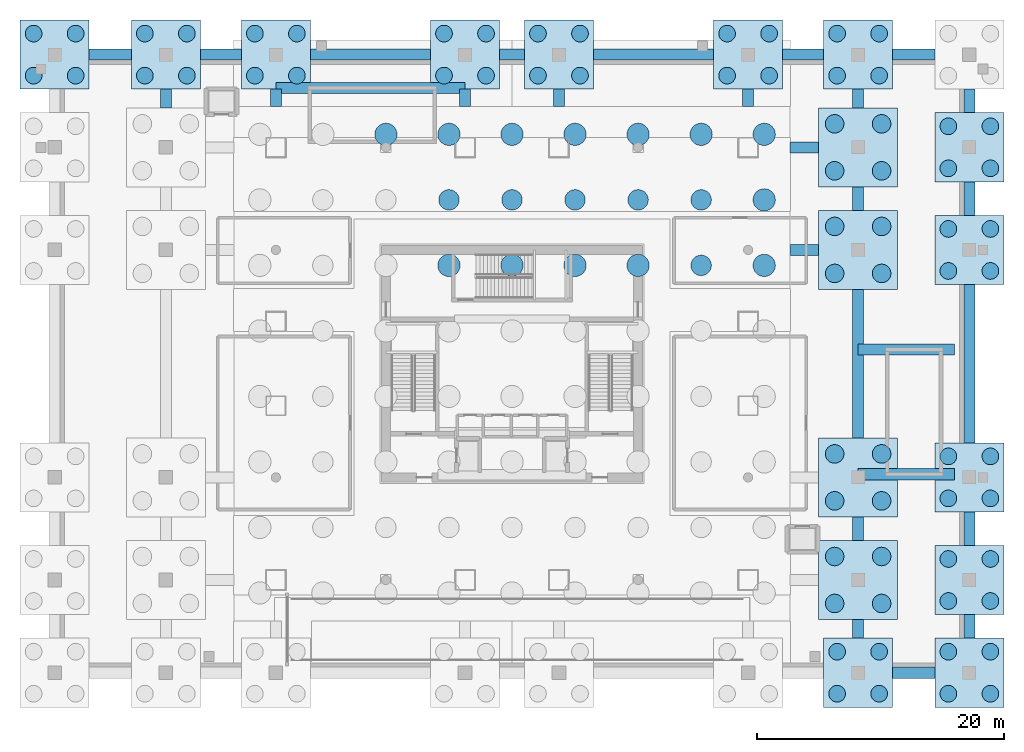
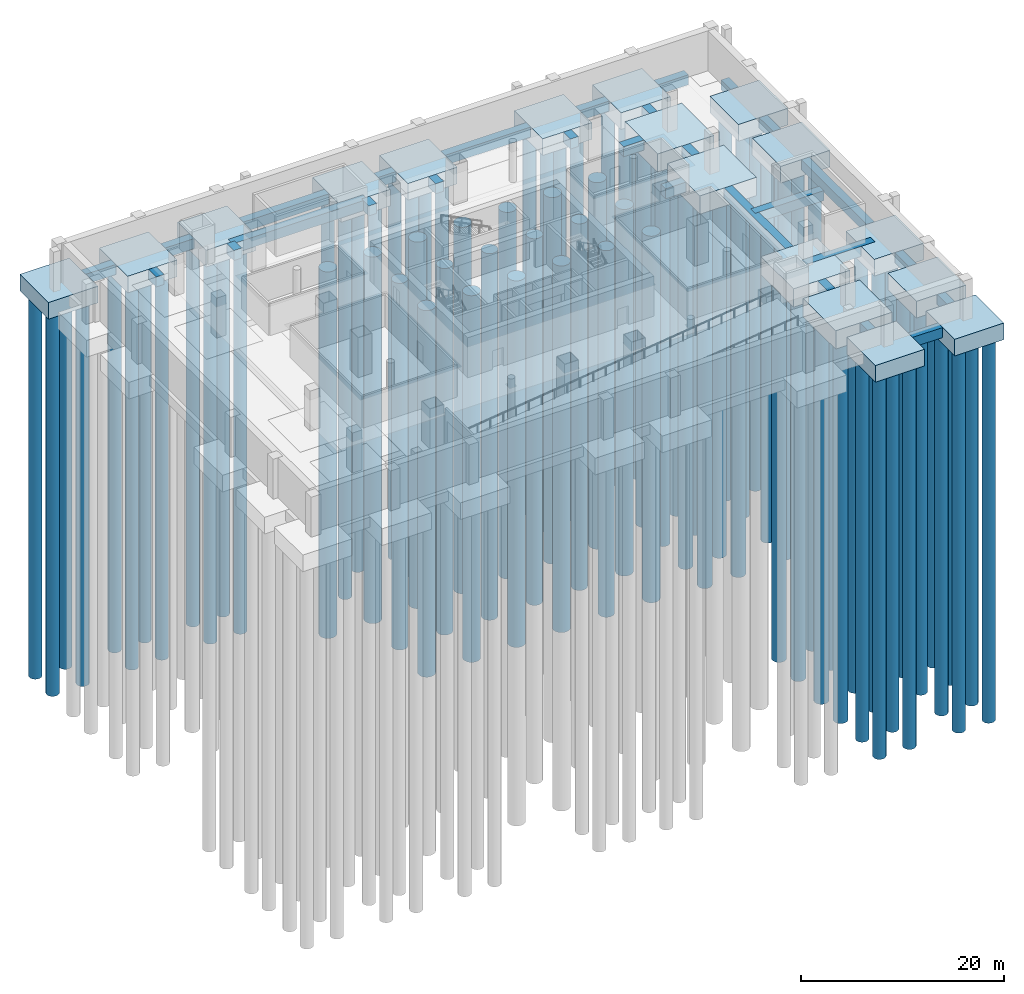
# One storey, part 2 of 11: 87 piles, 45 footings.
"""IFC4 building model written with IfcOpenShell, lengths in metres."""

from ifc_helpers import new_model, si_unit, direction, frame, origin, origin_2d, place, context, subcontext, project, spatial, polyline, rectangle, circle, outline, extrude, material, material_profile, profile_set, type_object, element, save


model = new_model("IFC4")

# Units and contexts
model_context = context("Model", 3, precision=1e-05, world=origin(), true_north=direction((0.0, 1.0)))
body_context = subcontext(model_context, "Body", "Model", "MODEL_VIEW")
ifc_project = project(units=[si_unit("LENGTHUNIT", "METRE"), si_unit("AREAUNIT", "SQUARE_METRE"), si_unit("VOLUMEUNIT", "CUBIC_METRE"), si_unit("PLANEANGLEUNIT", "RADIAN"), si_unit("MASSUNIT", "GRAM", prefix="KILO")], contexts=[model_context])

# Site, building, storey
site_placement = place(None, origin())
site = spatial("IfcSite", under=ifc_project, at=site_placement, CompositionType="ELEMENT")
building_placement = place(site_placement, origin())
building = spatial("IfcBuilding", under=site, at=building_placement, Name="Punatoya Terracotta Tower", CompositionType="ELEMENT")
storey_placement = place(building_placement, frame((0.0, 0.0, -9.60009765625)))
storey = spatial("IfcBuildingStorey", under=building, at=storey_placement, Name="B2", CompositionType="ELEMENT", Elevation=-9.60009765625)

# Footings
ifc_material = material(Name="Concrete C45/55", Category="concrete")
footing_type_1 = type_object("IfcFootingType", Name="CAP-5600X5600X2000", PredefinedType="PILE_CAP", material=ifc_material)
footing_1_placement = place(storey_placement, frame((0.0, 0.0, -2.0)))
element("IfcFooting", 1, at=footing_1_placement, inside=storey, type_object=footing_type_1, Name="Podium Pile Cap PCAP-07 (10-A)", PredefinedType="PILE_CAP", context=body_context, shape_type="SweptSolid", body=[
    extrude(outline(polyline([(25.199951171875, -27.800048828125), (30.800048828125, -27.800048828125), (30.800048828125, -22.199951171875), (25.199951171875, -22.199951171875), (25.199951171875, -27.800048828125)])), origin(), (0.0, 0.0, 1.0), 2.0),
])
footing_2_placement = place(storey_placement, frame((0.0, 0.0, -2.0)))
element("IfcFooting", 2, at=footing_2_placement, inside=storey, type_object=footing_type_1, Name="Podium Pile Cap PCAP-08 (11-A)", PredefinedType="PILE_CAP", context=body_context, shape_type="SweptSolid", body=[
    extrude(outline(polyline([(34.199951171875, -27.800048828125), (39.800048828125, -27.800048828125), (39.800048828125, -22.199951171875), (34.199951171875, -22.199951171875), (34.199951171875, -27.800048828125)])), origin(), (0.0, 0.0, 1.0), 2.0),
])
footing_3_placement = place(storey_placement, frame((0.0, 0.0, -2.0)))
element("IfcFooting", 3, at=footing_3_placement, inside=storey, type_object=footing_type_1, Name="Podium Pile Cap PCAP-12 (11-B)", PredefinedType="PILE_CAP", context=body_context, shape_type="SweptSolid", body=[
    extrude(outline(polyline([(34.199951171875, -20.300048828125), (39.800048828125, -20.300048828125), (39.800048828125, -14.699951171875), (34.199951171875, -14.699951171875), (34.199951171875, -20.300048828125)])), origin(), (0.0, 0.0, 1.0), 2.0),
])
footing_4_placement = place(storey_placement, frame((0.0, 0.0, -2.0)))
element("IfcFooting", 4, at=footing_4_placement, inside=storey, type_object=footing_type_1, Name="Podium Pile Cap PCAP-14 (11-C)", PredefinedType="PILE_CAP", context=body_context, shape_type="SweptSolid", body=[
    extrude(outline(polyline([(34.199951171875, -12.0), (39.800048828125, -12.0), (39.800048828125, -6.39990234375), (34.199951171875, -6.39990234375), (34.199951171875, -12.0)])), origin(), (0.0, 0.0, 1.0), 2.0),
])
footing_5_placement = place(storey_placement, frame((0.0, 0.0, -2.0)))
element("IfcFooting", 5, at=footing_5_placement, inside=storey, type_object=footing_type_1, Name="Podium Pile Cap PCAP-16 (11-F)", PredefinedType="PILE_CAP", context=body_context, shape_type="SweptSolid", body=[
    extrude(outline(polyline([(34.199951171875, 6.39990234375), (39.800048828125, 6.39990234375), (39.800048828125, 12.0), (34.199951171875, 12.0), (34.199951171875, 6.39990234375)])), origin(), (0.0, 0.0, 1.0), 2.0),
])
footing_6_placement = place(storey_placement, frame((0.0, 0.0, -2.0)))
element("IfcFooting", 6, at=footing_6_placement, inside=storey, type_object=footing_type_1, Name="Podium Pile Cap PCAP-20 (11-G)", PredefinedType="PILE_CAP", context=body_context, shape_type="SweptSolid", body=[
    extrude(outline(polyline([(34.199951171875, 14.699951171875), (39.800048828125, 14.699951171875), (39.800048828125, 20.300048828125), (34.199951171875, 20.300048828125), (34.199951171875, 14.699951171875)])), origin(), (0.0, 0.0, 1.0), 2.0),
])
footing_7_placement = place(storey_placement, frame((0.0, 0.0, -2.0)))
element("IfcFooting", 7, at=footing_7_placement, inside=storey, type_object=footing_type_1, Name="Podium Pile Cap PCAP-21 (1-H)", PredefinedType="PILE_CAP", context=body_context, shape_type="SweptSolid", body=[
    extrude(outline(polyline([(-39.800048828125, 22.199951171875), (-34.199951171875, 22.199951171875), (-34.199951171875, 27.800048828125), (-39.800048828125, 27.800048828125), (-39.800048828125, 22.199951171875)])), origin(), (0.0, 0.0, 1.0), 2.0),
])
footing_8_placement = place(storey_placement, frame((0.0, 0.0, -2.0)))
element("IfcFooting", 8, at=footing_8_placement, inside=storey, type_object=footing_type_1, Name="Podium Pile Cap PCAP-22 (2-H)", PredefinedType="PILE_CAP", context=body_context, shape_type="SweptSolid", body=[
    extrude(outline(polyline([(-30.800048828125, 22.199951171875), (-25.199951171875, 22.199951171875), (-25.199951171875, 27.800048828125), (-30.800048828125, 27.800048828125), (-30.800048828125, 22.199951171875)])), origin(), (0.0, 0.0, 1.0), 2.0),
])
footing_9_placement = place(storey_placement, frame((0.0, 0.0, -2.0)))
element("IfcFooting", 9, at=footing_9_placement, inside=storey, type_object=footing_type_1, Name="Podium Pile Cap PCAP-23 (3-H)", PredefinedType="PILE_CAP", context=body_context, shape_type="SweptSolid", body=[
    extrude(outline(polyline([(-21.89990234375, 22.199951171875), (-16.300048828125, 22.199951171875), (-16.300048828125, 27.800048828125), (-21.89990234375, 27.800048828125), (-21.89990234375, 22.199951171875)])), origin(), (0.0, 0.0, 1.0), 2.0),
])
footing_10_placement = place(storey_placement, frame((0.0, 0.0, -2.0)))
element("IfcFooting", 10, at=footing_10_placement, inside=storey, type_object=footing_type_1, Name="Podium Pile Cap PCAP-24 (5-H)", PredefinedType="PILE_CAP", context=body_context, shape_type="SweptSolid", body=[
    extrude(outline(polyline([(-6.60009765625, 22.199951171875), (-1.0, 22.199951171875), (-1.0, 27.800048828125), (-6.60009765625, 27.800048828125), (-6.60009765625, 22.199951171875)])), origin(), (0.0, 0.0, 1.0), 2.0),
])
footing_11_placement = place(storey_placement, frame((0.0, 0.0, -2.0)))
element("IfcFooting", 11, at=footing_11_placement, inside=storey, type_object=footing_type_1, Name="Podium Pile Cap PCAP-25 (7-H)", PredefinedType="PILE_CAP", context=body_context, shape_type="SweptSolid", body=[
    extrude(outline(polyline([(1.0, 22.199951171875), (6.60009765625, 22.199951171875), (6.60009765625, 27.800048828125), (1.0, 27.800048828125), (1.0, 22.199951171875)])), origin(), (0.0, 0.0, 1.0), 2.0),
])
footing_12_placement = place(storey_placement, frame((0.0, 0.0, -2.0)))
element("IfcFooting", 12, at=footing_12_placement, inside=storey, type_object=footing_type_1, Name="Podium Pile Cap PCAP-26 (9-H)", PredefinedType="PILE_CAP", context=body_context, shape_type="SweptSolid", body=[
    extrude(outline(polyline([(16.300048828125, 22.199951171875), (21.89990234375, 22.199951171875), (21.89990234375, 27.800048828125), (16.300048828125, 27.800048828125), (16.300048828125, 22.199951171875)])), origin(), (0.0, 0.0, 1.0), 2.0),
])
footing_13_placement = place(storey_placement, frame((0.0, 0.0, -2.0)))
element("IfcFooting", 13, at=footing_13_placement, inside=storey, type_object=footing_type_1, Name="Podium Pile Cap PCAP-27 (10-H)", PredefinedType="PILE_CAP", context=body_context, shape_type="SweptSolid", body=[
    extrude(outline(polyline([(25.199951171875, 22.199951171875), (30.800048828125, 22.199951171875), (30.800048828125, 27.800048828125), (25.199951171875, 27.800048828125), (25.199951171875, 22.199951171875)])), origin(), (0.0, 0.0, 1.0), 2.0),
])
footing_type_2 = type_object("IfcFootingType", Name="CAP-6400X6400X2200", PredefinedType="PILE_CAP", material=ifc_material)
footing_14_placement = place(storey_placement, frame((0.0, 0.0, -2.199951171875)))
element("IfcFooting", 14, at=footing_14_placement, inside=storey, type_object=footing_type_2, Name="Podium Pile Cap PCAP-11 (10-B)", PredefinedType="PILE_CAP", context=body_context, shape_type="SweptSolid", body=[
    extrude(outline(polyline([(24.800048828125, -20.699951171875), (31.199951171875, -20.699951171875), (31.199951171875, -14.300048828125), (24.800048828125, -14.300048828125), (24.800048828125, -20.699951171875)])), origin(), (0.0, 0.0, 1.0), 2.199951171875),
])
footing_15_placement = place(storey_placement, frame((0.0, 0.0, -2.199951171875)))
element("IfcFooting", 15, at=footing_15_placement, inside=storey, type_object=footing_type_2, Name="Podium Pile Cap PCAP-19 (10-G)", PredefinedType="PILE_CAP", context=body_context, shape_type="SweptSolid", body=[
    extrude(outline(polyline([(24.800048828125, 14.300048828125), (31.199951171875, 14.300048828125), (31.199951171875, 20.699951171875), (24.800048828125, 20.699951171875), (24.800048828125, 14.300048828125)])), origin(), (0.0, 0.0, 1.0), 2.199951171875),
])
footing_16_placement = place(storey_placement, frame((0.0, 0.0, -2.199951171875)))
element("IfcFooting", 16, at=footing_16_placement, inside=storey, type_object=footing_type_2, Name="Podium Pile Cap PCAP-31 (10-C)", PredefinedType="PILE_CAP", context=body_context, shape_type="SweptSolid", body=[
    extrude(outline(polyline([(24.800048828125, -12.39990234375), (31.199951171875, -12.39990234375), (31.199951171875, -6.0), (24.800048828125, -6.0), (24.800048828125, -12.39990234375)])), origin(), (0.0, 0.0, 1.0), 2.199951171875),
])
footing_17_placement = place(storey_placement, frame((0.0, 0.0, -2.199951171875)))
element("IfcFooting", 17, at=footing_17_placement, inside=storey, type_object=footing_type_2, Name="Podium Pile Cap PCAP-32 (10-F)", PredefinedType="PILE_CAP", context=body_context, shape_type="SweptSolid", body=[
    extrude(outline(polyline([(24.800048828125, 6.0), (31.199951171875, 6.0), (31.199951171875, 12.39990234375), (24.800048828125, 12.39990234375), (24.800048828125, 6.0)])), origin(), (0.0, 0.0, 1.0), 2.199951171875),
])
ifc_material_profile_1 = material_profile(ifc_material, rectangle(XDim=0.89990234375, YDim=1.199951171875, at=origin_2d()))
ifc_profile_set_1 = profile_set([ifc_material_profile_1], Name="Concrete C45/55")
footing_type_3 = type_object("IfcFootingType", Name="FTG-GB-900", PredefinedType="FOOTING_BEAM", material=ifc_profile_set_1)
for number, where, z_axis, x_axis, name in (
    (18, (30.800048828125, -25.0, -0.599853515625), (1.0, 0.0, 0.0), (0.0, 1.0, 0.0), "Foundation Tie Beam FGB-007 (10..11-A)"),
    (19, (-34.199951171875, 25.0, -0.599853515625), (1.0, 0.0, 0.0), (0.0, 1.0, 0.0), "Foundation Tie Beam FGB-008 (1..2-H)"),
):
    element("IfcFooting", number, at=place(storey_placement, frame(where, z_axis=z_axis, x_axis=x_axis)), inside=storey, type_object=footing_type_3, Name=name, PredefinedType="FOOTING_BEAM", context=body_context, shape_type="SweptSolid", body=[
        extrude(rectangle(XDim=0.89990234375, YDim=1.199951171875, at=origin_2d()), origin(), (0.0, 0.0, 1.0), 3.39990234375),
    ])
footing_18_placement = place(storey_placement, frame((-25.199951171875, 25.0, -0.599853515625), z_axis=(1.0, 0.0, 0.0), x_axis=(0.0, 1.0, 0.0)))
element("IfcFooting", 20, at=footing_18_placement, inside=storey, type_object=footing_type_3, Name="Foundation Tie Beam FGB-009 (2..3-H)", PredefinedType="FOOTING_BEAM", context=body_context, shape_type="SweptSolid", body=[
    extrude(rectangle(XDim=0.89990234375, YDim=1.199951171875, at=origin_2d()), origin(), (0.0, 0.0, 1.0), 3.300048828125),
])
footing_19_placement = place(storey_placement, frame((-16.300048828125, 25.0, -0.599853515625), z_axis=(1.0, 0.0, 0.0), x_axis=(0.0, 1.0, 0.0)))
element("IfcFooting", 21, at=footing_19_placement, inside=storey, type_object=footing_type_3, Name="Foundation Tie Beam FGB-010 (3..5-H)", PredefinedType="FOOTING_BEAM", context=body_context, shape_type="SweptSolid", body=[
    extrude(rectangle(XDim=0.89990234375, YDim=1.199951171875, at=origin_2d()), origin(), (0.0, 0.0, 1.0), 9.699951171875),
])
footing_20_placement = place(storey_placement, frame((-1.0, 25.0, -0.599853515625), z_axis=(1.0, 0.0, 0.0), x_axis=(0.0, 1.0, 0.0)))
element("IfcFooting", 22, at=footing_20_placement, inside=storey, type_object=footing_type_3, Name="Foundation Tie Beam FGB-011 (5..7-H)", PredefinedType="FOOTING_BEAM", context=body_context, shape_type="SweptSolid", body=[
    extrude(rectangle(XDim=0.89990234375, YDim=1.199951171875, at=origin_2d()), origin(), (0.0, 0.0, 1.0), 2.0),
])
footing_21_placement = place(storey_placement, frame((6.60009765625, 25.0, -0.599853515625), z_axis=(1.0, 0.0, 0.0), x_axis=(0.0, 1.0, 0.0)))
element("IfcFooting", 23, at=footing_21_placement, inside=storey, type_object=footing_type_3, Name="Foundation Tie Beam FGB-012 (7..9-H)", PredefinedType="FOOTING_BEAM", context=body_context, shape_type="SweptSolid", body=[
    extrude(rectangle(XDim=0.89990234375, YDim=1.199951171875, at=origin_2d()), origin(), (0.0, 0.0, 1.0), 9.699951171875),
])
footing_22_placement = place(storey_placement, frame((21.89990234375, 25.0, -0.599853515625), z_axis=(1.0, 0.0, 0.0), x_axis=(0.0, 1.0, 0.0)))
element("IfcFooting", 24, at=footing_22_placement, inside=storey, type_object=footing_type_3, Name="Foundation Tie Beam FGB-013 (9..10-H)", PredefinedType="FOOTING_BEAM", context=body_context, shape_type="SweptSolid", body=[
    extrude(rectangle(XDim=0.89990234375, YDim=1.199951171875, at=origin_2d()), origin(), (0.0, 0.0, 1.0), 3.300048828125),
])
footing_23_placement = place(storey_placement, frame((30.800048828125, 25.0, -0.599853515625), z_axis=(1.0, 0.0, 0.0), x_axis=(0.0, 1.0, 0.0)))
element("IfcFooting", 25, at=footing_23_placement, inside=storey, type_object=footing_type_3, Name="Foundation Tie Beam FGB-014 (10..11-H)", PredefinedType="FOOTING_BEAM", context=body_context, shape_type="SweptSolid", body=[
    extrude(rectangle(XDim=0.89990234375, YDim=1.199951171875, at=origin_2d()), origin(), (0.0, 0.0, 1.0), 3.39990234375),
])
for number, where, z_axis, x_axis, name in (
    (26, (-28.0, 20.699951171875, -0.599853515625), (0.0, 1.0, 0.0), (-1.0, 0.0, 0.0), "Foundation Tie Beam FGB-024 (2-G..H)"),
    (27, (28.0, -22.199951171875, -0.599853515625), (0.0, 1.0, 0.0), (-1.0, 0.0, 0.0), "Foundation Tie Beam FGB-025 (10-A..B)"),
):
    element("IfcFooting", number, at=place(storey_placement, frame(where, z_axis=z_axis, x_axis=x_axis)), inside=storey, type_object=footing_type_3, Name=name, PredefinedType="FOOTING_BEAM", context=body_context, shape_type="SweptSolid", body=[
        extrude(rectangle(XDim=0.89990234375, YDim=1.199951171875, at=origin_2d()), origin(), (0.0, 0.0, 1.0), 1.5),
    ])
footing_24_placement = place(storey_placement, frame((28.0, -14.300048828125, -0.599853515625), z_axis=(0.0, 1.0, 0.0), x_axis=(-1.0, 0.0, 0.0)))
element("IfcFooting", 28, at=footing_24_placement, inside=storey, type_object=footing_type_3, Name="Foundation Tie Beam FGB-026 (10-B..C)", PredefinedType="FOOTING_BEAM", context=body_context, shape_type="SweptSolid", body=[
    extrude(rectangle(XDim=0.89990234375, YDim=1.199951171875, at=origin_2d()), origin(), (0.0, 0.0, 1.0), 1.900146484375),
])
footing_25_placement = place(storey_placement, frame((28.0, -6.0, -0.599853515625), z_axis=(0.0, 1.0, 0.0), x_axis=(-1.0, 0.0, 0.0)))
element("IfcFooting", 29, at=footing_25_placement, inside=storey, type_object=footing_type_3, Name="Foundation Tie Beam FGB-027 (10-C..F)", PredefinedType="FOOTING_BEAM", context=body_context, shape_type="SweptSolid", body=[
    extrude(rectangle(XDim=0.89990234375, YDim=1.199951171875, at=origin_2d()), origin(), (0.0, 0.0, 1.0), 12.0),
])
footing_26_placement = place(storey_placement, frame((28.0, 12.39990234375, -0.599853515625), z_axis=(0.0, 1.0, 0.0), x_axis=(-1.0, 0.0, 0.0)))
element("IfcFooting", 30, at=footing_26_placement, inside=storey, type_object=footing_type_3, Name="Foundation Tie Beam FGB-028 (10-F..G)", PredefinedType="FOOTING_BEAM", context=body_context, shape_type="SweptSolid", body=[
    extrude(rectangle(XDim=0.89990234375, YDim=1.199951171875, at=origin_2d()), origin(), (0.0, 0.0, 1.0), 1.900146484375),
])
footing_27_placement = place(storey_placement, frame((28.0, 20.699951171875, -0.599853515625), z_axis=(0.0, 1.0, 0.0), x_axis=(-1.0, 0.0, 0.0)))
element("IfcFooting", 31, at=footing_27_placement, inside=storey, type_object=footing_type_3, Name="Foundation Tie Beam FGB-029 (10-G..H)", PredefinedType="FOOTING_BEAM", context=body_context, shape_type="SweptSolid", body=[
    extrude(rectangle(XDim=0.89990234375, YDim=1.199951171875, at=origin_2d()), origin(), (0.0, 0.0, 1.0), 1.5),
])
footing_28_placement = place(storey_placement, frame((37.0, -22.199951171875, -0.599853515625), z_axis=(0.0, 1.0, 0.0), x_axis=(-1.0, 0.0, 0.0)))
element("IfcFooting", 32, at=footing_28_placement, inside=storey, type_object=footing_type_3, Name="Foundation Tie Beam FGB-030 (11-A..B)", PredefinedType="FOOTING_BEAM", context=body_context, shape_type="SweptSolid", body=[
    extrude(rectangle(XDim=0.89990234375, YDim=1.199951171875, at=origin_2d()), origin(), (0.0, 0.0, 1.0), 1.89990234375),
])
footing_29_placement = place(storey_placement, frame((37.0, -14.699951171875, -0.599853515625), z_axis=(0.0, 1.0, 0.0), x_axis=(-1.0, 0.0, 0.0)))
element("IfcFooting", 33, at=footing_29_placement, inside=storey, type_object=footing_type_3, Name="Foundation Tie Beam FGB-031 (11-B..C)", PredefinedType="FOOTING_BEAM", context=body_context, shape_type="SweptSolid", body=[
    extrude(rectangle(XDim=0.89990234375, YDim=1.199951171875, at=origin_2d()), origin(), (0.0, 0.0, 1.0), 2.699951171875),
])
footing_30_placement = place(storey_placement, frame((37.0, -6.39990234375, -0.599853515625), z_axis=(0.0, 1.0, 0.0), x_axis=(-1.0, 0.0, 0.0)))
element("IfcFooting", 34, at=footing_30_placement, inside=storey, type_object=footing_type_3, Name="Foundation Tie Beam FGB-032 (11-C..F)", PredefinedType="FOOTING_BEAM", context=body_context, shape_type="SweptSolid", body=[
    extrude(rectangle(XDim=0.89990234375, YDim=1.199951171875, at=origin_2d()), origin(), (0.0, 0.0, 1.0), 12.7998046875),
])
footing_31_placement = place(storey_placement, frame((37.0, 12.0, -0.599853515625), z_axis=(0.0, 1.0, 0.0), x_axis=(-1.0, 0.0, 0.0)))
element("IfcFooting", 35, at=footing_31_placement, inside=storey, type_object=footing_type_3, Name="Foundation Tie Beam FGB-033 (11-F..G)", PredefinedType="FOOTING_BEAM", context=body_context, shape_type="SweptSolid", body=[
    extrude(rectangle(XDim=0.89990234375, YDim=1.199951171875, at=origin_2d()), origin(), (0.0, 0.0, 1.0), 2.699951171875),
])
footing_32_placement = place(storey_placement, frame((37.0, 20.300048828125, -0.599853515625), z_axis=(0.0, 1.0, 0.0), x_axis=(-1.0, 0.0, 0.0)))
element("IfcFooting", 36, at=footing_32_placement, inside=storey, type_object=footing_type_3, Name="Foundation Tie Beam FGB-034 (11-G..H)", PredefinedType="FOOTING_BEAM", context=body_context, shape_type="SweptSolid", body=[
    extrude(rectangle(XDim=0.89990234375, YDim=1.199951171875, at=origin_2d()), origin(), (0.0, 0.0, 1.0), 1.89990234375),
])
for number, where, z_axis, x_axis, name in (
    (37, (-19.10009765625, 20.800048828125, -0.599853515625), (0.0, 1.0, 0.0), (-1.0, 0.0, 0.0), "Foundation Tie Beam FGB-036 (3-RAFT-H)"),
    (38, (-3.800048828125, 20.800048828125, -0.599853515625), (0.0, 1.0, 0.0), (-1.0, 0.0, 0.0), "Foundation Tie Beam FGB-038 (5-RAFT-H)"),
    (39, (3.800048828125, 20.800048828125, -0.599853515625), (0.0, 1.0, 0.0), (-1.0, 0.0, 0.0), "Foundation Tie Beam FGB-040 (7-RAFT-H)"),
    (40, (19.10009765625, 20.800048828125, -0.599853515625), (0.0, 1.0, 0.0), (-1.0, 0.0, 0.0), "Foundation Tie Beam FGB-042 (9-RAFT-H)"),
):
    element("IfcFooting", number, at=place(storey_placement, frame(where, z_axis=z_axis, x_axis=x_axis)), inside=storey, type_object=footing_type_3, Name=name, PredefinedType="FOOTING_BEAM", context=body_context, shape_type="SweptSolid", body=[
        extrude(rectangle(XDim=0.89990234375, YDim=1.199951171875, at=origin_2d()), origin(), (0.0, 0.0, 1.0), 1.39990234375),
    ])
for number, where, z_axis, x_axis, name in (
    (41, (22.5, 9.199951171875, -0.599853515625), (1.0, 0.0, 0.0), (0.0, 1.0, 0.0), "Foundation Tie Beam FGB-048 (RAFT-E-F)"),
    (42, (22.5, 17.5, -0.599853515625), (1.0, 0.0, 0.0), (0.0, 1.0, 0.0), "Foundation Tie Beam FGB-050 (RAFT-E-G)"),
):
    element("IfcFooting", number, at=place(storey_placement, frame(where, z_axis=z_axis, x_axis=x_axis)), inside=storey, type_object=footing_type_3, Name=name, PredefinedType="FOOTING_BEAM", context=body_context, shape_type="SweptSolid", body=[
        extrude(rectangle(XDim=0.89990234375, YDim=1.199951171875, at=origin_2d()), origin(), (0.0, 0.0, 1.0), 2.300048828125),
    ])
footing_33_placement = place(storey_placement, frame((-19.10009765625, 22.300048828125, -0.599853515625), z_axis=(1.0, 0.0, 0.0), x_axis=(0.0, 1.0, 0.0)))
element("IfcFooting", 43, at=footing_33_placement, inside=storey, type_object=footing_type_3, Name="Foundation Tie Beam FGB-051 (STP1-N)", PredefinedType="FOOTING_BEAM", context=body_context, shape_type="SweptSolid", body=[
    extrude(rectangle(XDim=0.89990234375, YDim=1.199951171875, at=origin_2d()), origin(), (0.0, 0.0, 1.0), 15.300048828125),
])
for number, where, z_axis, x_axis, name in (
    (44, (28.0, -8.949951171875, -0.599853515625), (1.0, 0.0, 0.0), (0.0, 1.0, 0.0), "Foundation Tie Beam FGB-052 (STP2-S)"),
    (45, (28.0, 1.14990234375, -0.599853515625), (1.0, 0.0, 0.0), (0.0, 1.0, 0.0), "Foundation Tie Beam FGB-053 (STP2-N)"),
):
    element("IfcFooting", number, at=place(storey_placement, frame(where, z_axis=z_axis, x_axis=x_axis)), inside=storey, type_object=footing_type_3, Name=name, PredefinedType="FOOTING_BEAM", context=body_context, shape_type="SweptSolid", body=[
        extrude(rectangle(XDim=0.89990234375, YDim=1.199951171875, at=origin_2d()), origin(), (0.0, 0.0, 1.0), 7.800048828125),
    ])

# Piles
ifc_material_profile_2 = material_profile(ifc_material, circle(Radius=0.675048828125, at=origin_2d()))
ifc_profile_set_2 = profile_set([ifc_material_profile_2], Name="Concrete C45/55")
pile_type_1 = type_object("IfcPileType", Name="PILE-D1350", PredefinedType="BORED", material=ifc_profile_set_2)
for number, where, z_axis, x_axis, name in (
    (46, (26.300048828125, -26.699951171875, -1.849853515625), (0.0, 0.0, -1.0), (1.0, 0.0, 0.0), "Bored Pile BP-097"),
    (47, (26.300048828125, -23.300048828125, -1.849853515625), (0.0, 0.0, -1.0), (1.0, 0.0, 0.0), "Bored Pile BP-098"),
    (48, (29.699951171875, -26.699951171875, -1.849853515625), (0.0, 0.0, -1.0), (1.0, 0.0, 0.0), "Bored Pile BP-099"),
    (49, (29.699951171875, -23.300048828125, -1.849853515625), (0.0, 0.0, -1.0), (1.0, 0.0, 0.0), "Bored Pile BP-100"),
    (50, (35.300048828125, -26.699951171875, -1.849853515625), (0.0, 0.0, -1.0), (1.0, 0.0, 0.0), "Bored Pile BP-101"),
    (51, (35.300048828125, -23.300048828125, -1.849853515625), (0.0, 0.0, -1.0), (1.0, 0.0, 0.0), "Bored Pile BP-102"),
    (52, (38.699951171875, -26.699951171875, -1.849853515625), (0.0, 0.0, -1.0), (1.0, 0.0, 0.0), "Bored Pile BP-103"),
    (53, (38.699951171875, -23.300048828125, -1.849853515625), (0.0, 0.0, -1.0), (1.0, 0.0, 0.0), "Bored Pile BP-104"),
    (54, (35.300048828125, -19.199951171875, -1.849853515625), (0.0, 0.0, -1.0), (1.0, 0.0, 0.0), "Bored Pile BP-117"),
    (55, (35.300048828125, -15.800048828125, -1.849853515625), (0.0, 0.0, -1.0), (1.0, 0.0, 0.0), "Bored Pile BP-118"),
    (56, (38.699951171875, -19.199951171875, -1.849853515625), (0.0, 0.0, -1.0), (1.0, 0.0, 0.0), "Bored Pile BP-119"),
    (57, (38.699951171875, -15.800048828125, -1.849853515625), (0.0, 0.0, -1.0), (1.0, 0.0, 0.0), "Bored Pile BP-120"),
    (58, (35.300048828125, -10.89990234375, -1.849853515625), (0.0, 0.0, -1.0), (1.0, 0.0, 0.0), "Bored Pile BP-125"),
    (59, (35.300048828125, -7.5, -1.849853515625), (0.0, 0.0, -1.0), (1.0, 0.0, 0.0), "Bored Pile BP-126"),
    (60, (38.699951171875, -10.89990234375, -1.849853515625), (0.0, 0.0, -1.0), (1.0, 0.0, 0.0), "Bored Pile BP-127"),
    (61, (38.699951171875, -7.5, -1.849853515625), (0.0, 0.0, -1.0), (1.0, 0.0, 0.0), "Bored Pile BP-128"),
    (62, (35.300048828125, 7.5, -1.849853515625), (0.0, 0.0, -1.0), (1.0, 0.0, 0.0), "Bored Pile BP-133"),
    (63, (35.300048828125, 10.89990234375, -1.849853515625), (0.0, 0.0, -1.0), (1.0, 0.0, 0.0), "Bored Pile BP-134"),
    (64, (38.699951171875, 7.5, -1.849853515625), (0.0, 0.0, -1.0), (1.0, 0.0, 0.0), "Bored Pile BP-135"),
    (65, (38.699951171875, 10.89990234375, -1.849853515625), (0.0, 0.0, -1.0), (1.0, 0.0, 0.0), "Bored Pile BP-136"),
    (66, (35.300048828125, 15.800048828125, -1.849853515625), (0.0, 0.0, -1.0), (1.0, 0.0, 0.0), "Bored Pile BP-149"),
    (67, (35.300048828125, 19.199951171875, -1.849853515625), (0.0, 0.0, -1.0), (1.0, 0.0, 0.0), "Bored Pile BP-150"),
    (68, (38.699951171875, 15.800048828125, -1.849853515625), (0.0, 0.0, -1.0), (1.0, 0.0, 0.0), "Bored Pile BP-151"),
    (69, (38.699951171875, 19.199951171875, -1.849853515625), (0.0, 0.0, -1.0), (1.0, 0.0, 0.0), "Bored Pile BP-152"),
    (70, (-38.699951171875, 23.300048828125, -1.849853515625), (0.0, 0.0, -1.0), (1.0, 0.0, 0.0), "Bored Pile BP-153"),
    (71, (-38.699951171875, 26.699951171875, -1.849853515625), (0.0, 0.0, -1.0), (1.0, 0.0, 0.0), "Bored Pile BP-154"),
    (72, (-35.300048828125, 23.300048828125, -1.849853515625), (0.0, 0.0, -1.0), (1.0, 0.0, 0.0), "Bored Pile BP-155"),
    (73, (-35.300048828125, 26.699951171875, -1.849853515625), (0.0, 0.0, -1.0), (1.0, 0.0, 0.0), "Bored Pile BP-156"),
    (74, (-29.699951171875, 23.300048828125, -1.849853515625), (0.0, 0.0, -1.0), (1.0, 0.0, 0.0), "Bored Pile BP-157"),
    (75, (-29.699951171875, 26.699951171875, -1.849853515625), (0.0, 0.0, -1.0), (1.0, 0.0, 0.0), "Bored Pile BP-158"),
    (76, (-26.300048828125, 23.300048828125, -1.849853515625), (0.0, 0.0, -1.0), (1.0, 0.0, 0.0), "Bored Pile BP-159"),
    (77, (-26.300048828125, 26.699951171875, -1.849853515625), (0.0, 0.0, -1.0), (1.0, 0.0, 0.0), "Bored Pile BP-160"),
    (78, (-20.800048828125, 23.300048828125, -1.849853515625), (0.0, 0.0, -1.0), (1.0, 0.0, 0.0), "Bored Pile BP-161"),
    (79, (-20.800048828125, 26.699951171875, -1.849853515625), (0.0, 0.0, -1.0), (1.0, 0.0, 0.0), "Bored Pile BP-162"),
    (80, (-17.39990234375, 23.300048828125, -1.849853515625), (0.0, 0.0, -1.0), (1.0, 0.0, 0.0), "Bored Pile BP-163"),
    (81, (-17.39990234375, 26.699951171875, -1.849853515625), (0.0, 0.0, -1.0), (1.0, 0.0, 0.0), "Bored Pile BP-164"),
    (82, (-5.5, 23.300048828125, -1.849853515625), (0.0, 0.0, -1.0), (1.0, 0.0, 0.0), "Bored Pile BP-165"),
    (83, (-5.5, 26.699951171875, -1.849853515625), (0.0, 0.0, -1.0), (1.0, 0.0, 0.0), "Bored Pile BP-166"),
    (84, (-2.10009765625, 23.300048828125, -1.849853515625), (0.0, 0.0, -1.0), (1.0, 0.0, 0.0), "Bored Pile BP-167"),
    (85, (-2.10009765625, 26.699951171875, -1.849853515625), (0.0, 0.0, -1.0), (1.0, 0.0, 0.0), "Bored Pile BP-168"),
    (86, (2.10009765625, 23.300048828125, -1.849853515625), (0.0, 0.0, -1.0), (1.0, 0.0, 0.0), "Bored Pile BP-169"),
    (87, (2.10009765625, 26.699951171875, -1.849853515625), (0.0, 0.0, -1.0), (1.0, 0.0, 0.0), "Bored Pile BP-170"),
    (88, (5.5, 23.300048828125, -1.849853515625), (0.0, 0.0, -1.0), (1.0, 0.0, 0.0), "Bored Pile BP-171"),
    (89, (5.5, 26.699951171875, -1.849853515625), (0.0, 0.0, -1.0), (1.0, 0.0, 0.0), "Bored Pile BP-172"),
    (90, (17.39990234375, 23.300048828125, -1.849853515625), (0.0, 0.0, -1.0), (1.0, 0.0, 0.0), "Bored Pile BP-173"),
    (91, (17.39990234375, 26.699951171875, -1.849853515625), (0.0, 0.0, -1.0), (1.0, 0.0, 0.0), "Bored Pile BP-174"),
    (92, (20.800048828125, 23.300048828125, -1.849853515625), (0.0, 0.0, -1.0), (1.0, 0.0, 0.0), "Bored Pile BP-175"),
    (93, (20.800048828125, 26.699951171875, -1.849853515625), (0.0, 0.0, -1.0), (1.0, 0.0, 0.0), "Bored Pile BP-176"),
    (94, (26.300048828125, 23.300048828125, -1.849853515625), (0.0, 0.0, -1.0), (1.0, 0.0, 0.0), "Bored Pile BP-177"),
    (95, (26.300048828125, 26.699951171875, -1.849853515625), (0.0, 0.0, -1.0), (1.0, 0.0, 0.0), "Bored Pile BP-178"),
    (96, (29.699951171875, 23.300048828125, -1.849853515625), (0.0, 0.0, -1.0), (1.0, 0.0, 0.0), "Bored Pile BP-179"),
    (97, (29.699951171875, 26.699951171875, -1.849853515625), (0.0, 0.0, -1.0), (1.0, 0.0, 0.0), "Bored Pile BP-180"),
):
    element("IfcPile", number, at=place(storey_placement, frame(where, z_axis=z_axis, x_axis=x_axis)), inside=storey, type_object=pile_type_1, Name=name, PredefinedType="BORED", context=body_context, shape_type="SweptSolid", body=[
        extrude(circle(Radius=0.675048828125, at=origin_2d()), origin(), (0.0, 0.0, 1.0), 46.0),
    ])
ifc_material_profile_3 = material_profile(ifc_material, circle(Radius=0.75, at=origin_2d()))
ifc_profile_set_3 = profile_set([ifc_material_profile_3], Name="Concrete C45/55")
pile_type_2 = type_object("IfcPileType", Name="PILE-D1500", PredefinedType="BORED", material=ifc_profile_set_3)
for number, where, z_axis, x_axis, name in (
    (98, (26.10009765625, -19.39990234375, -2.0498046875), (0.0, 0.0, -1.0), (1.0, 0.0, 0.0), "Bored Pile BP-113"),
    (99, (26.10009765625, -15.60009765625, -2.0498046875), (0.0, 0.0, -1.0), (1.0, 0.0, 0.0), "Bored Pile BP-114"),
    (100, (29.89990234375, -19.39990234375, -2.0498046875), (0.0, 0.0, -1.0), (1.0, 0.0, 0.0), "Bored Pile BP-115"),
    (101, (29.89990234375, -15.60009765625, -2.0498046875), (0.0, 0.0, -1.0), (1.0, 0.0, 0.0), "Bored Pile BP-116"),
    (102, (26.10009765625, 15.60009765625, -2.0498046875), (0.0, 0.0, -1.0), (1.0, 0.0, 0.0), "Bored Pile BP-145"),
    (103, (26.10009765625, 19.39990234375, -2.0498046875), (0.0, 0.0, -1.0), (1.0, 0.0, 0.0), "Bored Pile BP-146"),
    (104, (29.89990234375, 15.60009765625, -2.0498046875), (0.0, 0.0, -1.0), (1.0, 0.0, 0.0), "Bored Pile BP-147"),
    (105, (29.89990234375, 19.39990234375, -2.0498046875), (0.0, 0.0, -1.0), (1.0, 0.0, 0.0), "Bored Pile BP-148"),
    (106, (26.10009765625, -11.10009765625, -2.0498046875), (0.0, 0.0, -1.0), (1.0, 0.0, 0.0), "Bored Pile BP-193"),
    (107, (26.10009765625, -7.300048828125, -2.0498046875), (0.0, 0.0, -1.0), (1.0, 0.0, 0.0), "Bored Pile BP-194"),
    (108, (29.89990234375, -11.10009765625, -2.0498046875), (0.0, 0.0, -1.0), (1.0, 0.0, 0.0), "Bored Pile BP-195"),
    (109, (29.89990234375, -7.300048828125, -2.0498046875), (0.0, 0.0, -1.0), (1.0, 0.0, 0.0), "Bored Pile BP-196"),
    (110, (26.10009765625, 7.300048828125, -2.0498046875), (0.0, 0.0, -1.0), (1.0, 0.0, 0.0), "Bored Pile BP-197"),
    (111, (26.10009765625, 11.10009765625, -2.0498046875), (0.0, 0.0, -1.0), (1.0, 0.0, 0.0), "Bored Pile BP-198"),
    (112, (29.89990234375, 7.300048828125, -2.0498046875), (0.0, 0.0, -1.0), (1.0, 0.0, 0.0), "Bored Pile BP-199"),
    (113, (29.89990234375, 11.10009765625, -2.0498046875), (0.0, 0.0, -1.0), (1.0, 0.0, 0.0), "Bored Pile BP-200"),
):
    element("IfcPile", number, at=place(storey_placement, frame(where, z_axis=z_axis, x_axis=x_axis)), inside=storey, type_object=pile_type_2, Name=name, PredefinedType="BORED", context=body_context, shape_type="SweptSolid", body=[
        extrude(circle(Radius=0.75, at=origin_2d()), origin(), (0.0, 0.0, 1.0), 45.800048828125),
    ])
ifc_material_profile_4 = material_profile(ifc_material, circle(Radius=0.824951171875, at=origin_2d()))
ifc_profile_set_4 = profile_set([ifc_material_profile_4], Name="Concrete C45/55")
pile_type_3 = type_object("IfcPileType", Name="PILE-D1650", PredefinedType="BORED", material=ifc_profile_set_4)
for number, where, z_axis, x_axis, name in (
    (114, (-5.10009765625, 13.25, -3.849853515625), (0.0, 0.0, -1.0), (1.0, 0.0, 0.0), "Bored Pile BP-031"),
    (115, (0.0, 13.25, -3.849853515625), (0.0, 0.0, -1.0), (1.0, 0.0, 0.0), "Bored Pile BP-039"),
    (116, (5.10009765625, 13.25, -3.849853515625), (0.0, 0.0, -1.0), (1.0, 0.0, 0.0), "Bored Pile BP-047"),
    (117, (10.199951171875, 13.25, -3.849853515625), (0.0, 0.0, -1.0), (1.0, 0.0, 0.0), "Bored Pile BP-055"),
    (118, (15.300048828125, 7.949951171875, -3.849853515625), (0.0, 0.0, -1.0), (1.0, 0.0, 0.0), "Bored Pile BP-062"),
    (119, (15.300048828125, 13.25, -3.849853515625), (0.0, 0.0, -1.0), (1.0, 0.0, 0.0), "Bored Pile BP-063"),
):
    element("IfcPile", number, at=place(storey_placement, frame(where, z_axis=z_axis, x_axis=x_axis)), inside=storey, type_object=pile_type_3, Name=name, PredefinedType="BORED", context=body_context, shape_type="SweptSolid", body=[
        extrude(circle(Radius=0.824951171875, at=origin_2d()), origin(), (0.0, 0.0, 1.0), 44.0),
    ])
ifc_material_profile_5 = material_profile(ifc_material, circle(Radius=0.89990234375, at=origin_2d()))
ifc_profile_set_5 = profile_set([ifc_material_profile_5], Name="Concrete C45/55")
pile_type_4 = type_object("IfcPileType", Name="PILE-D1800", PredefinedType="BORED", material=ifc_profile_set_5)
for number, where, z_axis, x_axis, name in (
    (120, (-10.199951171875, 18.550048828125, -3.849853515625), (0.0, 0.0, -1.0), (1.0, 0.0, 0.0), "Bored Pile BP-024"),
    (121, (-5.10009765625, 7.949951171875, -3.849853515625), (0.0, 0.0, -1.0), (1.0, 0.0, 0.0), "Bored Pile BP-030"),
    (122, (-5.10009765625, 18.550048828125, -3.849853515625), (0.0, 0.0, -1.0), (1.0, 0.0, 0.0), "Bored Pile BP-032"),
    (123, (0.0, 7.949951171875, -3.849853515625), (0.0, 0.0, -1.0), (1.0, 0.0, 0.0), "Bored Pile BP-038"),
    (124, (0.0, 18.550048828125, -3.849853515625), (0.0, 0.0, -1.0), (1.0, 0.0, 0.0), "Bored Pile BP-040"),
    (125, (5.10009765625, 7.949951171875, -3.849853515625), (0.0, 0.0, -1.0), (1.0, 0.0, 0.0), "Bored Pile BP-046"),
    (126, (5.10009765625, 18.550048828125, -3.849853515625), (0.0, 0.0, -1.0), (1.0, 0.0, 0.0), "Bored Pile BP-048"),
    (127, (10.199951171875, 7.949951171875, -3.849853515625), (0.0, 0.0, -1.0), (1.0, 0.0, 0.0), "Bored Pile BP-054"),
    (128, (10.199951171875, 18.550048828125, -3.849853515625), (0.0, 0.0, -1.0), (1.0, 0.0, 0.0), "Bored Pile BP-056"),
    (129, (15.300048828125, 18.550048828125, -3.849853515625), (0.0, 0.0, -1.0), (1.0, 0.0, 0.0), "Bored Pile BP-064"),
    (130, (20.39990234375, 7.949951171875, -3.849853515625), (0.0, 0.0, -1.0), (1.0, 0.0, 0.0), "Bored Pile BP-070"),
    (131, (20.39990234375, 13.25, -3.849853515625), (0.0, 0.0, -1.0), (1.0, 0.0, 0.0), "Bored Pile BP-071"),
    (132, (20.39990234375, 18.550048828125, -3.849853515625), (0.0, 0.0, -1.0), (1.0, 0.0, 0.0), "Bored Pile BP-072"),
):
    element("IfcPile", number, at=place(storey_placement, frame(where, z_axis=z_axis, x_axis=x_axis)), inside=storey, type_object=pile_type_4, Name=name, PredefinedType="BORED", context=body_context, shape_type="SweptSolid", body=[
        extrude(circle(Radius=0.89990234375, at=origin_2d()), origin(), (0.0, 0.0, 1.0), 44.0),
    ])

save(model, "model.ifc")
